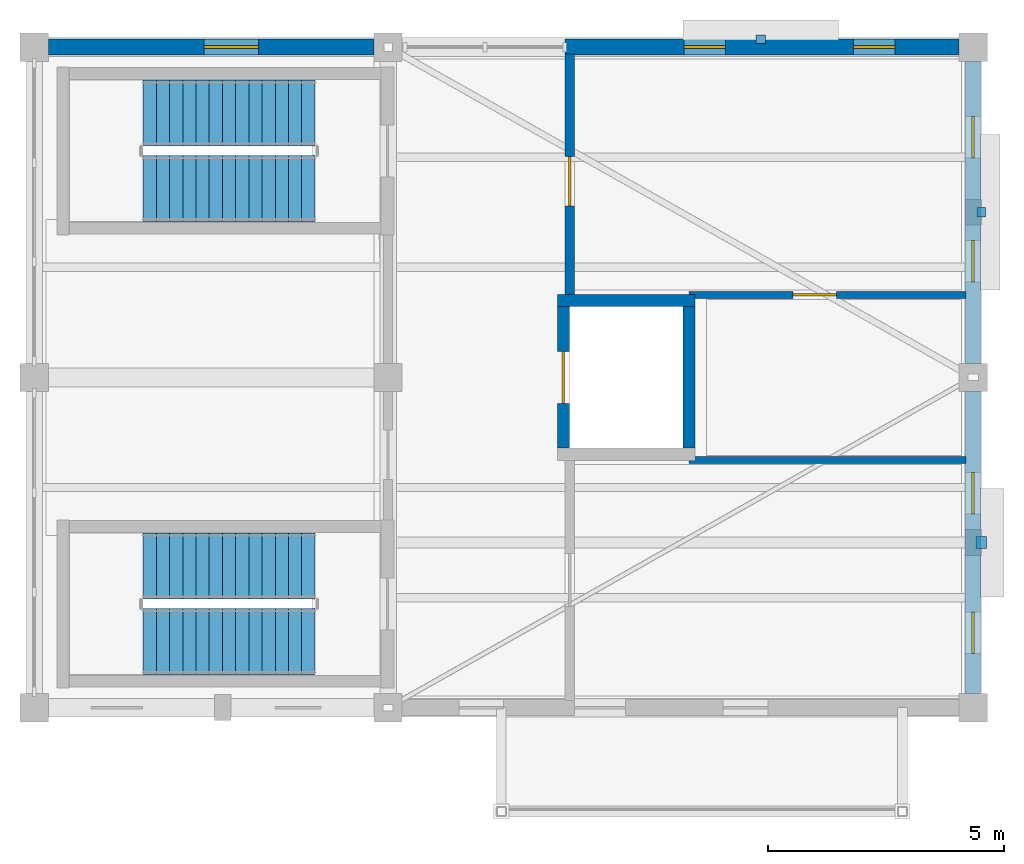
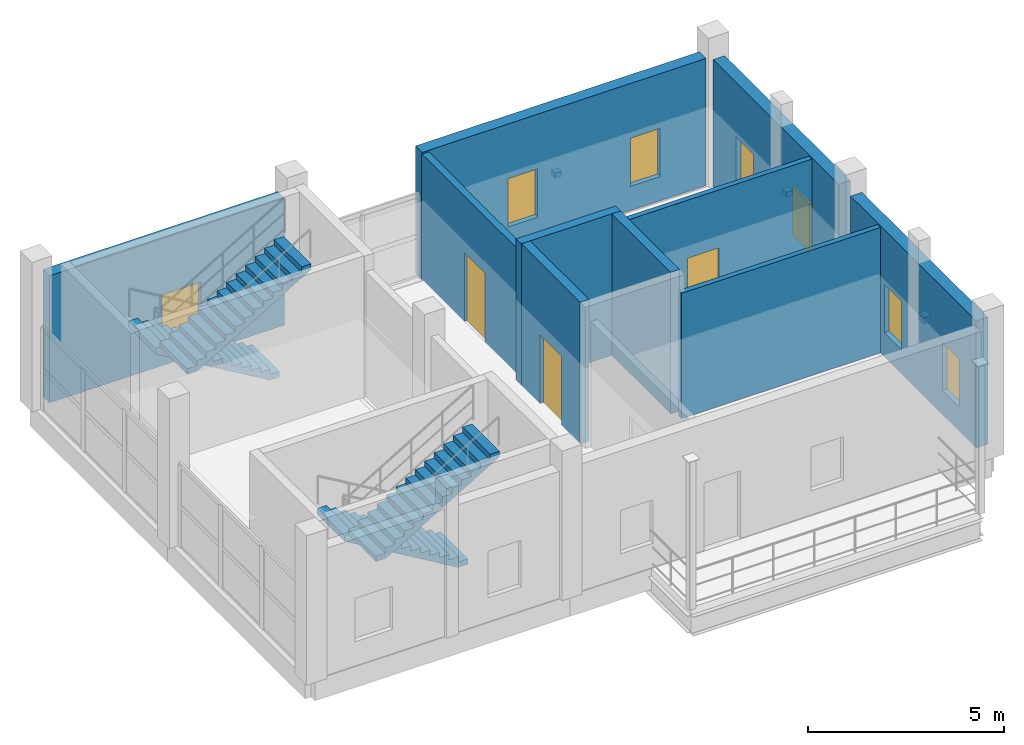
# One storey, part 3 of 4: 10 walls, 7 windows, 4 stair flights, 3 discrete accessories, 3 doors, 10 openings, 2 elements without a shape of their own.
"""IFC4 building model written with IfcOpenShell, lengths in metres."""

from ifc_helpers import new_model, si_unit, direction, frame, frame_2d, origin, origin_2d, place, context, subcontext, project, spatial, polyline, rectangle, outline, extrude, material, layer, layer_set, type_object, element, fill, aggregate, save


model = new_model("IFC4")

# Units and contexts
model_context = context("Model", 3, precision=1e-05, world=origin(), true_north=direction((0.0, 1.0)))
body_context = subcontext(model_context, "Body", "Model", "MODEL_VIEW")
ifc_project = project(units=[si_unit("LENGTHUNIT", "METRE"), si_unit("AREAUNIT", "SQUARE_METRE"), si_unit("VOLUMEUNIT", "CUBIC_METRE"), si_unit("PLANEANGLEUNIT", "RADIAN"), si_unit("MASSUNIT", "GRAM", prefix="KILO")], contexts=[model_context])

# Site, building, storey
site_placement = place(None, origin())
site = spatial("IfcSite", under=ifc_project, at=site_placement, CompositionType="ELEMENT")
building_placement = place(site_placement, origin())
building = spatial("IfcBuilding", under=site, at=building_placement, Name="Trellovar Central Fire Station", CompositionType="ELEMENT")
storey_placement = place(building_placement, frame((0.0, 0.0, 17.39990234375)))
storey = spatial("IfcBuildingStorey", under=building, at=storey_placement, Name="L05", CompositionType="ELEMENT", Elevation=17.39990234375)

# Wall, openings, windows
ifc_material_1 = material(Name="Textured desert sandstone masonry", Category="masonry")
ifc_layer_1 = layer(ifc_material_1, 0.340087890625)
ifc_layer_set_1 = layer_set([ifc_layer_1], Name="Textured desert sandstone masonry")
wall_type_1 = type_object("IfcWallType", Name="EW-3", PredefinedType="STANDARD", material=ifc_layer_set_1)
wall_1_placement = place(storey_placement, frame((160.699951171875, 73.0, 0.0), z_axis=(0.0, 0.0, 1.0), x_axis=(-1.0, 0.0, 0.0)))
wall_1 = element("IfcWall", 1, at=wall_1_placement, inside=storey, type_object=wall_type_1, Name="V2 L05 north hose shaft wall", PredefinedType="STANDARD", context=body_context, shape_type="SweptSolid", body=[
    extrude(rectangle(XDim=8.349853515625, YDim=0.340087890625, at=frame_2d((4.1748046875, 0.0))), origin(), (0.0, 0.0, 1.0), 3.9501953125),
])
opening_1_placement = place(wall_1_placement, frame((1.35009765625, 0.0, 0.75)))
opening_1 = element("IfcOpeningElement", 2, at=opening_1_placement, cuts=wall_1, Name="Opening W-07", PredefinedType="OPENING", context=body_context, shape_type="SweptSolid", body=[
    extrude(rectangle(XDim=0.8798828125, YDim=1.5, at=frame_2d((0.43994140625, 0.75))), frame((0.0, 0.179931640625, 0.0), z_axis=(0.0, -1.0, 0.0), x_axis=(1.0, 0.0, 0.0)), (0.0, 0.0, 1.0), 0.360107421875),
])
opening_2_placement = place(wall_1_placement, frame((4.949951171875, 0.0, 0.75)))
opening_2 = element("IfcOpeningElement", 3, at=opening_2_placement, cuts=wall_1, Name="Opening W-07", PredefinedType="OPENING", context=body_context, shape_type="SweptSolid", body=[
    extrude(rectangle(XDim=0.8798828125, YDim=1.5, at=frame_2d((0.43994140625, 0.75))), frame((0.0, 0.179931640625, 0.0), z_axis=(0.0, -1.0, 0.0), x_axis=(1.0, 0.0, 0.0)), (0.0, 0.0, 1.0), 0.360107421875),
])
ifc_material_2 = material(Name="Thermally broken bronze anodized aluminum", Category="aluminium")
window_type_1 = type_object("IfcWindowType", Name="WIN-07", PartitioningType="SINGLE_PANEL", PredefinedType="WINDOW", material=ifc_material_2)
window_1_placement = place(opening_1_placement, origin())
window_1 = element("IfcWindow", 4, at=window_1_placement, inside=storey, type_object=window_type_1, Name="V2 L05 hose drying ventilation lancet A", OverallHeight=1.5, OverallWidth=0.8798828125, PartitioningType="SINGLE_PANEL", PredefinedType="WINDOW", context=body_context, shape_type="SweptSolid", body=[
    extrude(rectangle(XDim=0.8798828125, YDim=1.5, at=frame_2d((0.43994140625, 0.75))), frame((0.0, 0.030029296875, 0.0), z_axis=(0.0, -1.0, 0.0), x_axis=(1.0, 0.0, 0.0)), (0.0, 0.0, 1.0), 0.06005859375),
])
fill(opening_1, window_1)
window_2_placement = place(opening_2_placement, origin())
window_2 = element("IfcWindow", 5, at=window_2_placement, inside=storey, type_object=window_type_1, Name="V2 L05 hose drying ventilation lancet B", OverallHeight=1.5, OverallWidth=0.8798828125, PartitioningType="SINGLE_PANEL", PredefinedType="WINDOW", context=body_context, shape_type="SweptSolid", body=[
    extrude(rectangle(XDim=0.8798828125, YDim=1.5, at=frame_2d((0.43994140625, 0.75))), frame((0.0, 0.030029296875, 0.0), z_axis=(0.0, -1.0, 0.0), x_axis=(1.0, 0.0, 0.0)), (0.0, 0.0, 1.0), 0.06005859375),
])
fill(opening_2, window_2)

# Wall, opening, window
wall_2_placement = place(storey_placement, frame((148.300048828125, 73.0, 0.0), z_axis=(0.0, 0.0, 1.0), x_axis=(-1.0, 0.0, 0.0)))
wall_2 = element("IfcWall", 6, at=wall_2_placement, inside=storey, type_object=wall_type_1, Name="V2 L05 north stair bay wall", PredefinedType="STANDARD", context=body_context, shape_type="SweptSolid", body=[
    extrude(rectangle(XDim=6.900146484375, YDim=0.340087890625, at=frame_2d((3.4501953125, 0.0))), origin(), (0.0, 0.0, 1.0), 3.9501953125),
])
opening_3_placement = place(wall_2_placement, frame((2.449951171875, 0.0, 0.75)))
opening_3 = element("IfcOpeningElement", 7, at=opening_3_placement, cuts=wall_2, Name="Opening W-01", PredefinedType="OPENING", context=body_context, shape_type="SweptSolid", body=[
    extrude(rectangle(XDim=1.14990234375, YDim=1.449951171875, at=frame_2d((0.574951171875, 0.72509765625))), frame((0.0, 0.179931640625, 0.0), z_axis=(0.0, -1.0, 0.0), x_axis=(1.0, 0.0, 0.0)), (0.0, 0.0, 1.0), 0.360107421875),
])
ifc_material_3 = material(Name="Thermally broken bronze anodized aluminum", Category="aluminium")
window_type_2 = type_object("IfcWindowType", Name="WIN-01", PartitioningType="SINGLE_PANEL", PredefinedType="WINDOW", material=ifc_material_3)
window_3_placement = place(opening_3_placement, origin())
window_3 = element("IfcWindow", 8, at=window_3_placement, inside=storey, type_object=window_type_2, Name="L05 window W-01", OverallHeight=1.449951171875, OverallWidth=1.14990234375, PartitioningType="SINGLE_PANEL", PredefinedType="WINDOW", context=body_context, shape_type="SweptSolid", body=[
    extrude(rectangle(XDim=1.14990234375, YDim=1.449951171875, at=frame_2d((0.574951171875, 0.72509765625))), frame((0.0, 0.030029296875, 0.0), z_axis=(0.0, -1.0, 0.0), x_axis=(1.0, 0.0, 0.0)), (0.0, 0.0, 1.0), 0.06005859375),
])
fill(opening_3, window_3)

# Wall, openings, windows
wall_3_placement = place(storey_placement, frame((161.0, 59.300048828125, 0.0), z_axis=(0.0, 0.0, 1.0), x_axis=(0.0, 1.0, 0.0)))
wall_3 = element("IfcWall", 9, at=wall_3_placement, inside=storey, type_object=wall_type_1, Name="V2 L05 east avenue wall", PredefinedType="STANDARD", context=body_context, shape_type="SweptSolid", body=[
    extrude(rectangle(XDim=6.39990234375, YDim=0.340087890625, at=frame_2d((3.199951171875, 0.0))), origin(), (0.0, 0.0, 1.0), 3.9501953125),
])
opening_4_placement = place(wall_3_placement, frame((0.85009765625, 0.0, 0.75)))
opening_4 = element("IfcOpeningElement", 10, at=opening_4_placement, cuts=wall_3, Name="Opening W-07", PredefinedType="OPENING", context=body_context, shape_type="SweptSolid", body=[
    extrude(rectangle(XDim=0.8798828125, YDim=1.5, at=frame_2d((0.43994140625, 0.75))), frame((0.0, 0.179931640625, 0.0), z_axis=(0.0, -1.0, 0.0), x_axis=(1.0, 0.0, 0.0)), (0.0, 0.0, 1.0), 0.360107421875),
])
opening_5_placement = place(wall_3_placement, frame((3.800048828125, 0.0, 0.75)))
opening_5 = element("IfcOpeningElement", 11, at=opening_5_placement, cuts=wall_3, Name="Opening W-07", PredefinedType="OPENING", context=body_context, shape_type="SweptSolid", body=[
    extrude(rectangle(XDim=0.8798828125, YDim=1.5, at=frame_2d((0.43994140625, 0.75))), frame((0.0, 0.179931640625, 0.0), z_axis=(0.0, -1.0, 0.0), x_axis=(1.0, 0.0, 0.0)), (0.0, 0.0, 1.0), 0.360107421875),
])
window_4_placement = place(opening_4_placement, origin())
window_4 = element("IfcWindow", 12, at=window_4_placement, inside=storey, type_object=window_type_1, Name="L05 window W-07", OverallHeight=1.5, OverallWidth=0.8798828125, PartitioningType="SINGLE_PANEL", PredefinedType="WINDOW", context=body_context, shape_type="SweptSolid", body=[
    extrude(rectangle(XDim=0.8798828125, YDim=1.5, at=frame_2d((0.43994140625, 0.75))), frame((0.0, 0.030029296875, 0.0), z_axis=(0.0, -1.0, 0.0), x_axis=(1.0, 0.0, 0.0)), (0.0, 0.0, 1.0), 0.06005859375),
])
fill(opening_4, window_4)
window_5_placement = place(opening_5_placement, origin())
window_5 = element("IfcWindow", 13, at=window_5_placement, inside=storey, type_object=window_type_1, Name="L05 window W-07", OverallHeight=1.5, OverallWidth=0.8798828125, PartitioningType="SINGLE_PANEL", PredefinedType="WINDOW", context=body_context, shape_type="SweptSolid", body=[
    extrude(rectangle(XDim=0.8798828125, YDim=1.5, at=frame_2d((0.43994140625, 0.75))), frame((0.0, 0.030029296875, 0.0), z_axis=(0.0, -1.0, 0.0), x_axis=(1.0, 0.0, 0.0)), (0.0, 0.0, 1.0), 0.06005859375),
])
fill(opening_5, window_5)

wall_4_placement = place(storey_placement, frame((161.0, 66.300048828125, 0.0), z_axis=(0.0, 0.0, 1.0), x_axis=(0.0, 1.0, 0.0)))
wall_4 = element("IfcWall", 14, at=wall_4_placement, inside=storey, type_object=wall_type_1, Name="V2 L05 east avenue wall", PredefinedType="STANDARD", context=body_context, shape_type="SweptSolid", body=[
    extrude(rectangle(XDim=6.39990234375, YDim=0.340087890625, at=frame_2d((3.199951171875, 0.0))), origin(), (0.0, 0.0, 1.0), 3.9501953125),
])
opening_6_placement = place(wall_4_placement, frame((1.719970703125, 0.0, 0.75)))
opening_6 = element("IfcOpeningElement", 15, at=opening_6_placement, cuts=wall_4, Name="Opening W-07", PredefinedType="OPENING", context=body_context, shape_type="SweptSolid", body=[
    extrude(rectangle(XDim=0.8798828125, YDim=1.5, at=frame_2d((0.43994140625, 0.75))), frame((0.0, 0.179931640625, 0.0), z_axis=(0.0, -1.0, 0.0), x_axis=(1.0, 0.0, 0.0)), (0.0, 0.0, 1.0), 0.360107421875),
])
opening_7_placement = place(wall_4_placement, frame((4.35009765625, 0.0, 0.75)))
opening_7 = element("IfcOpeningElement", 16, at=opening_7_placement, cuts=wall_4, Name="Opening W-07", PredefinedType="OPENING", context=body_context, shape_type="SweptSolid", body=[
    extrude(rectangle(XDim=0.8798828125, YDim=1.5, at=frame_2d((0.43994140625, 0.75))), frame((0.0, 0.179931640625, 0.0), z_axis=(0.0, -1.0, 0.0), x_axis=(1.0, 0.0, 0.0)), (0.0, 0.0, 1.0), 0.360107421875),
])
window_6_placement = place(opening_6_placement, origin())
window_6 = element("IfcWindow", 17, at=window_6_placement, inside=storey, type_object=window_type_1, Name="L05 window W-07", OverallHeight=1.5, OverallWidth=0.8798828125, PartitioningType="SINGLE_PANEL", PredefinedType="WINDOW", context=body_context, shape_type="SweptSolid", body=[
    extrude(rectangle(XDim=0.8798828125, YDim=1.5, at=frame_2d((0.43994140625, 0.75))), frame((0.0, 0.030029296875, 0.0), z_axis=(0.0, -1.0, 0.0), x_axis=(1.0, 0.0, 0.0)), (0.0, 0.0, 1.0), 0.06005859375),
])
fill(opening_6, window_6)
window_7_placement = place(opening_7_placement, origin())
window_7 = element("IfcWindow", 18, at=window_7_placement, inside=storey, type_object=window_type_1, Name="L05 window W-07", OverallHeight=1.5, OverallWidth=0.8798828125, PartitioningType="SINGLE_PANEL", PredefinedType="WINDOW", context=body_context, shape_type="SweptSolid", body=[
    extrude(rectangle(XDim=0.8798828125, YDim=1.5, at=frame_2d((0.43994140625, 0.75))), frame((0.0, 0.030029296875, 0.0), z_axis=(0.0, -1.0, 0.0), x_axis=(1.0, 0.0, 0.0)), (0.0, 0.0, 1.0), 0.06005859375),
])
fill(opening_7, window_7)

# Wall, opening, door
ifc_material_4 = material(Name="Acoustic concrete masonry unit", Category="masonry")
ifc_layer_2 = layer(ifc_material_4, 0.199951171875)
ifc_layer_set_2 = layer_set([ifc_layer_2], Name="Acoustic concrete masonry unit")
wall_type_2 = type_object("IfcWallType", Name="PT-1", PredefinedType="PARTITIONING", material=ifc_layer_set_2)
wall_5_placement = place(storey_placement, frame((152.449951171875, 67.6298828125, 0.0), z_axis=(0.0, 0.0, 1.0), x_axis=(0.0, 1.0, 0.0)))
wall_5 = element("IfcWall", 19, at=wall_5_placement, inside=storey, type_object=wall_type_2, Name="V2 L05 north hose gallery wall", PredefinedType="PARTITIONING", context=body_context, shape_type="SweptSolid", body=[
    extrude(rectangle(XDim=5.22021484375, YDim=0.199951171875, at=frame_2d((2.610107421875, 0.0))), origin(), (0.0, 0.0, 1.0), 3.900146484375),
])
opening_8_placement = place(wall_5_placement, frame((2.0, 0.0, 0.0)))
opening_8 = element("IfcOpeningElement", 20, at=opening_8_placement, cuts=wall_5, Name="Opening ID-5", PredefinedType="OPENING", context=body_context, shape_type="SweptSolid", body=[
    extrude(rectangle(XDim=1.050048828125, YDim=2.139892578125, at=frame_2d((0.52490234375, 1.06982421875))), frame((0.0, 0.10986328125, 0.0), z_axis=(0.0, -1.0, 0.0), x_axis=(1.0, 0.0, 0.0)), (0.0, 0.0, 1.0), 0.219970703125),
])
ifc_material_5 = material(Name="Hollow galvanized steel with acoustic core", Category="steel")
door_type_1 = type_object("IfcDoorType", Name="DR-INT5", OperationType="SINGLE_SWING_LEFT", PredefinedType="DOOR", material=ifc_material_5)
door_1_placement = place(opening_8_placement, origin())
door_1 = element("IfcDoor", 21, at=door_1_placement, inside=storey, type_object=door_type_1, Name="V2 L05 north hose gallery door", OperationType="SINGLE_SWING_LEFT", OverallHeight=2.139892578125, OverallWidth=1.050048828125, PredefinedType="DOOR", context=body_context, shape_type="SweptSolid", body=[
    extrude(rectangle(XDim=1.050048828125, YDim=2.139892578125, at=frame_2d((0.52490234375, 1.06982421875))), frame((0.0, 0.02490234375, 0.0), z_axis=(0.0, -1.0, 0.0), x_axis=(1.0, 0.0, 0.0)), (0.0, 0.0, 1.0), 0.050048828125),
])
fill(opening_8, door_1)

# Wall
ifc_material_6 = material(Name="Fire-rated acoustic gypsum stud partition", Category="gypsum")
ifc_layer_3 = layer(ifc_material_6, 0.14990234375)
ifc_layer_set_3 = layer_set([ifc_layer_3], Name="Fire-rated acoustic gypsum stud partition")
wall_type_3 = type_object("IfcWallType", Name="PT-6", PredefinedType="PARTITIONING", material=ifc_layer_set_3)
wall_6_placement = place(storey_placement, frame((154.97998046875, 64.25, 0.0), z_axis=(0.0, 0.0, 1.0), x_axis=(1.0, 0.0, 0.0)))
element("IfcWall", 22, at=wall_6_placement, inside=storey, type_object=wall_type_3, Name="V2 L05 restroom south wall", PredefinedType="PARTITIONING", context=body_context, shape_type="SweptSolid", body=[
    extrude(rectangle(XDim=5.8701171875, YDim=0.14990234375, at=frame_2d((2.93505859375, 0.0))), origin(), (0.0, 0.0, 1.0), 3.900146484375),
])

# Wall, opening, door
wall_7_placement = place(storey_placement, frame((154.97998046875, 67.75, 0.0), z_axis=(0.0, 0.0, 1.0), x_axis=(1.0, 0.0, 0.0)))
wall_7 = element("IfcWall", 23, at=wall_7_placement, inside=storey, type_object=wall_type_3, Name="V2 L05 restroom north wall", PredefinedType="PARTITIONING", context=body_context, shape_type="SweptSolid", body=[
    extrude(rectangle(XDim=5.8701171875, YDim=0.14990234375, at=frame_2d((2.93505859375, 0.0))), origin(), (0.0, 0.0, 1.0), 3.900146484375),
])
opening_9_placement = place(wall_7_placement, frame((2.199951171875, 0.0, 0.0)))
opening_9 = element("IfcOpeningElement", 24, at=opening_9_placement, cuts=wall_7, Name="Opening ID-6", PredefinedType="OPENING", context=body_context, shape_type="SweptSolid", body=[
    extrude(rectangle(XDim=0.919921875, YDim=2.10009765625, at=frame_2d((0.4599609375, 1.050048828125))), frame((0.0, 0.0849609375, 0.0), z_axis=(0.0, -1.0, 0.0), x_axis=(1.0, 0.0, 0.0)), (0.0, 0.0, 1.0), 0.169921875),
])
ifc_material_7 = material(Name="Solid core acoustic white oak veneer", Category="wood")
door_type_2 = type_object("IfcDoorType", Name="DR-INT6", OperationType="SINGLE_SWING_LEFT", PredefinedType="DOOR", material=ifc_material_7)
door_2_placement = place(opening_9_placement, origin())
door_2 = element("IfcDoor", 25, at=door_2_placement, inside=storey, type_object=door_type_2, Name="V2 L05 restroom door", OperationType="SINGLE_SWING_RIGHT", OverallHeight=2.10009765625, OverallWidth=0.919921875, PredefinedType="DOOR", context=body_context, shape_type="SweptSolid", body=[
    extrude(rectangle(XDim=0.919921875, YDim=2.10009765625, at=frame_2d((0.4599609375, 1.050048828125))), frame((0.0, 0.02490234375, 0.0), z_axis=(0.0, -1.0, 0.0), x_axis=(1.0, 0.0, 0.0)), (0.0, 0.0, 1.0), 0.050048828125),
])
fill(opening_9, door_2)

# Wall
ifc_material_8 = material(Name="Concrete C40/50", Category="concrete")
ifc_layer_4 = layer(ifc_material_8, 0.260009765625)
ifc_layer_set_4 = layer_set([ifc_layer_4], Name="Concrete C40/50")
wall_type_4 = type_object("IfcWallType", Name="SW-4", PredefinedType="SHEAR", material=ifc_layer_set_4)
wall_8_placement = place(storey_placement, frame((155.110107421875, 67.6298828125, 0.0), z_axis=(0.0, 0.0, 1.0), x_axis=(-1.0, 0.0, 0.0)))
element("IfcWall", 26, at=wall_8_placement, inside=storey, type_object=wall_type_4, Name="Lift EL-04 L05 N wall", PredefinedType="SHEAR", context=body_context, shape_type="SweptSolid", body=[
    extrude(rectangle(XDim=2.920166015625, YDim=0.260009765625, at=frame_2d((1.4599609375, 0.0))), origin(), (0.0, 0.0, 1.0), 4.400146484375),
])

# Wall, opening, door
wall_9_placement = place(storey_placement, frame((152.320068359375, 67.5, 0.0), z_axis=(0.0, 0.0, 1.0), x_axis=(0.0, -1.0, 0.0)))
wall_9 = element("IfcWall", 27, at=wall_9_placement, inside=storey, type_object=wall_type_4, Name="Lift EL-04 L05 W wall", PredefinedType="SHEAR", context=body_context, shape_type="SweptSolid", body=[
    extrude(rectangle(XDim=3.0, YDim=0.260009765625, at=frame_2d((1.5, 0.0))), origin(), (0.0, 0.0, 1.0), 4.400146484375),
])
opening_10_placement = place(wall_9_placement, frame((0.949951171875, 0.0, 0.0)))
opening_10 = element("IfcOpeningElement", 28, at=opening_10_placement, cuts=wall_9, Name="Opening LD-1", PredefinedType="OPENING", context=body_context, shape_type="SweptSolid", body=[
    extrude(rectangle(XDim=1.10009765625, YDim=2.14990234375, at=frame_2d((0.550048828125, 1.074951171875))), frame((0.0, 0.139892578125, 0.0), z_axis=(0.0, -1.0, 0.0), x_axis=(1.0, 0.0, 0.0)), (0.0, 0.0, 1.0), 0.280029296875),
])
ifc_material_9 = material(Name="Brushed stainless steel", Category="steel")
door_type_3 = type_object("IfcDoorType", Name="DR-LFT1", OperationType="SLIDING_TO_LEFT", PredefinedType="DOOR", material=ifc_material_9)
door_3_placement = place(opening_10_placement, origin())
door_3 = element("IfcDoor", 29, at=door_3_placement, inside=storey, type_object=door_type_3, Name="Elevator EL-04 L05 sliding landing door", OperationType="SLIDING_TO_LEFT", OverallHeight=2.14990234375, OverallWidth=1.10009765625, PredefinedType="DOOR", context=body_context, shape_type="SweptSolid", body=[
    extrude(rectangle(XDim=1.10009765625, YDim=2.14990234375, at=frame_2d((0.550048828125, 1.074951171875))), frame((0.0, 0.02490234375, 0.0), z_axis=(0.0, -1.0, 0.0), x_axis=(1.0, 0.0, 0.0)), (0.0, 0.0, 1.0), 0.050048828125),
])
fill(opening_10, door_3)

# Wall
wall_10_placement = place(storey_placement, frame((154.97998046875, 64.5, 0.0), z_axis=(0.0, 0.0, 1.0), x_axis=(0.0, 1.0, 0.0)))
element("IfcWall", 30, at=wall_10_placement, inside=storey, type_object=wall_type_4, Name="Lift EL-04 L05 E wall", PredefinedType="SHEAR", context=body_context, shape_type="SweptSolid", body=[
    extrude(rectangle(XDim=3.0, YDim=0.260009765625, at=frame_2d((1.5, 0.0))), origin(), (0.0, 0.0, 1.0), 4.400146484375),
])

# Stair, stair flights
ifc_material_10 = material(Name="Concrete C40/50", Category="concrete")
stair_type = type_object("IfcStairType", Name="ST-R1661", PredefinedType="HALF_TURN_STAIR", material=ifc_material_10)
stair_1_placement = place(storey_placement, origin())
stair_1 = element("IfcStair", 31, at=stair_1_placement, inside=storey, type_object=stair_type, Name="L05 Protected exit stair ST-05", PredefinedType="HALF_TURN_STAIR")
ifc_material_11 = material(Name="Concrete C40/50", Category="concrete")
stair_flight_type = type_object("IfcStairFlightType", Name="STF-R1661", PredefinedType="STRAIGHT", material=ifc_material_11)
stair_flight_1_placement = place(storey_placement, frame((147.050048828125, 62.0, 0.0), z_axis=(0.0, 0.0, 1.0), x_axis=(-1.0, 0.0, 0.0)))
stair_flight_1 = element("IfcStairFlight", 32, at=stair_flight_1_placement, type_object=stair_flight_type, Name="ST-05 flight 1", NumberOfRisers=14, NumberOfTreads=13, PredefinedType="STRAIGHT", RiserHeight=0.166071429, TreadLength=0.28, context=body_context, shape_type="SweptSolid", body=[
    extrude(outline(polyline([(0.0, 0.0), (0.0, 0.166015625), (0.280029296875, 0.166015625), (0.280029296875, 0.33203125), (0.56005859375, 0.33203125), (0.56005859375, 0.498291015625), (0.840087890625, 0.498291015625), (0.840087890625, 0.664306640625), (1.1201171875, 0.664306640625), (1.1201171875, 0.830322265625), (1.39990234375, 0.830322265625), (1.39990234375, 0.996337890625), (1.679931640625, 0.996337890625), (1.679931640625, 1.16259765625), (1.9599609375, 1.16259765625), (1.9599609375, 1.32861328125), (2.239990234375, 1.32861328125), (2.239990234375, 1.49462890625), (2.52001953125, 1.49462890625), (2.52001953125, 1.66064453125), (2.800048828125, 1.66064453125), (2.800048828125, 1.826904296875), (3.080078125, 1.826904296875), (3.080078125, 1.992919921875), (3.360107421875, 1.992919921875), (3.360107421875, 2.158935546875), (3.639892578125, 2.158935546875), (3.639892578125, 2.324951171875), (3.639892578125, 1.984619140625), (0.2939453125, 0.0), (0.0, 0.0)])), frame((0.0, 0.699951171875, 0.0), z_axis=(0.0, -1.0, 0.0), x_axis=(1.0, 0.0, 0.0)), (0.0, 0.0, 1.0), 1.39990234375),
])
stair_flight_2_placement = place(storey_placement, frame((143.409912109375, 60.39990234375, 2.3251953125), z_axis=(0.0, 0.0, 1.0), x_axis=(1.0, 0.0, 0.0)))
stair_flight_2 = element("IfcStairFlight", 33, at=stair_flight_2_placement, type_object=stair_flight_type, Name="ST-05 flight 2", NumberOfRisers=14, NumberOfTreads=13, PredefinedType="STRAIGHT", RiserHeight=0.166071429, TreadLength=0.28, context=body_context, shape_type="SweptSolid", body=[
    extrude(outline(polyline([(0.0, 0.0), (0.0, 0.166015625), (0.280029296875, 0.166015625), (0.280029296875, 0.33203125), (0.56005859375, 0.33203125), (0.56005859375, 0.498291015625), (0.840087890625, 0.498291015625), (0.840087890625, 0.664306640625), (1.1201171875, 0.664306640625), (1.1201171875, 0.830322265625), (1.39990234375, 0.830322265625), (1.39990234375, 0.996337890625), (1.679931640625, 0.996337890625), (1.679931640625, 1.16259765625), (1.9599609375, 1.16259765625), (1.9599609375, 1.32861328125), (2.239990234375, 1.32861328125), (2.239990234375, 1.49462890625), (2.52001953125, 1.49462890625), (2.52001953125, 1.66064453125), (2.800048828125, 1.66064453125), (2.800048828125, 1.826904296875), (3.080078125, 1.826904296875), (3.080078125, 1.992919921875), (3.360107421875, 1.992919921875), (3.360107421875, 2.158935546875), (3.639892578125, 2.158935546875), (3.639892578125, 2.324951171875), (3.639892578125, 1.984619140625), (0.2939453125, 0.0), (0.0, 0.0)])), frame((0.0, 0.699951171875, 0.0), z_axis=(0.0, -1.0, 0.0), x_axis=(1.0, 0.0, 0.0)), (0.0, 0.0, 1.0), 1.39990234375),
])
aggregate(stair_1, [stair_flight_1, stair_flight_2])

stair_2_placement = place(storey_placement, origin())
stair_2 = element("IfcStair", 34, at=stair_2_placement, inside=storey, type_object=stair_type, Name="L05 Protected exit stair ST-06", PredefinedType="HALF_TURN_STAIR")
stair_flight_3_placement = place(storey_placement, frame((147.050048828125, 71.60009765625, 0.0), z_axis=(0.0, 0.0, 1.0), x_axis=(-1.0, 0.0, 0.0)))
stair_flight_3 = element("IfcStairFlight", 35, at=stair_flight_3_placement, type_object=stair_flight_type, Name="ST-06 flight 1", NumberOfRisers=14, NumberOfTreads=13, PredefinedType="STRAIGHT", RiserHeight=0.166071429, TreadLength=0.28, context=body_context, shape_type="SweptSolid", body=[
    extrude(outline(polyline([(0.0, 0.0), (0.0, 0.166015625), (0.280029296875, 0.166015625), (0.280029296875, 0.33203125), (0.56005859375, 0.33203125), (0.56005859375, 0.498291015625), (0.840087890625, 0.498291015625), (0.840087890625, 0.664306640625), (1.1201171875, 0.664306640625), (1.1201171875, 0.830322265625), (1.39990234375, 0.830322265625), (1.39990234375, 0.996337890625), (1.679931640625, 0.996337890625), (1.679931640625, 1.16259765625), (1.9599609375, 1.16259765625), (1.9599609375, 1.32861328125), (2.239990234375, 1.32861328125), (2.239990234375, 1.49462890625), (2.52001953125, 1.49462890625), (2.52001953125, 1.66064453125), (2.800048828125, 1.66064453125), (2.800048828125, 1.826904296875), (3.080078125, 1.826904296875), (3.080078125, 1.992919921875), (3.360107421875, 1.992919921875), (3.360107421875, 2.158935546875), (3.639892578125, 2.158935546875), (3.639892578125, 2.324951171875), (3.639892578125, 1.984619140625), (0.2939453125, 0.0), (0.0, 0.0)])), frame((0.0, 0.699951171875, 0.0), z_axis=(0.0, -1.0, 0.0), x_axis=(1.0, 0.0, 0.0)), (0.0, 0.0, 1.0), 1.39990234375),
])
stair_flight_4_placement = place(storey_placement, frame((143.409912109375, 70.0, 2.3251953125), z_axis=(0.0, 0.0, 1.0), x_axis=(1.0, 0.0, 0.0)))
stair_flight_4 = element("IfcStairFlight", 36, at=stair_flight_4_placement, type_object=stair_flight_type, Name="ST-06 flight 2", NumberOfRisers=14, NumberOfTreads=13, PredefinedType="STRAIGHT", RiserHeight=0.166071429, TreadLength=0.28, context=body_context, shape_type="SweptSolid", body=[
    extrude(outline(polyline([(0.0, 0.0), (0.0, 0.166015625), (0.280029296875, 0.166015625), (0.280029296875, 0.33203125), (0.56005859375, 0.33203125), (0.56005859375, 0.498291015625), (0.840087890625, 0.498291015625), (0.840087890625, 0.664306640625), (1.1201171875, 0.664306640625), (1.1201171875, 0.830322265625), (1.39990234375, 0.830322265625), (1.39990234375, 0.996337890625), (1.679931640625, 0.996337890625), (1.679931640625, 1.16259765625), (1.9599609375, 1.16259765625), (1.9599609375, 1.32861328125), (2.239990234375, 1.32861328125), (2.239990234375, 1.49462890625), (2.52001953125, 1.49462890625), (2.52001953125, 1.66064453125), (2.800048828125, 1.66064453125), (2.800048828125, 1.826904296875), (3.080078125, 1.826904296875), (3.080078125, 1.992919921875), (3.360107421875, 1.992919921875), (3.360107421875, 2.158935546875), (3.639892578125, 2.158935546875), (3.639892578125, 2.324951171875), (3.639892578125, 1.984619140625), (0.2939453125, 0.0), (0.0, 0.0)])), frame((0.0, 0.699951171875, 0.0), z_axis=(0.0, -1.0, 0.0), x_axis=(1.0, 0.0, 0.0)), (0.0, 0.0, 1.0), 1.39990234375),
])
aggregate(stair_2, [stair_flight_3, stair_flight_4])

# Discrete accessories
ifc_material_12 = material(Name="Patina bronze wrought metalwork", Category="metal")
discrete_accessory_type_1 = type_object("IfcDiscreteAccessoryType", Name="ACC-BRK1", PredefinedType="BRACKET", material=ifc_material_12)
discrete_accessory_placement = place(storey_placement, frame((161.169921875, 62.5, 1.89990234375), z_axis=(0.0, 0.0, 1.0), x_axis=(0.0, 1.0, 0.0)))
element("IfcDiscreteAccessory", 37, at=discrete_accessory_placement, inside=storey, type_object=discrete_accessory_type_1, Name="L05 bronze shade mounting bracket 118", PredefinedType="BRACKET", context=body_context, shape_type="SweptSolid", body=[
    extrude(rectangle(XDim=0.260009765625, YDim=0.219970703125, at=origin_2d()), origin(), (0.0, 0.0, 1.0), 0.199951171875),
])
ifc_material_13 = material(Name="Patina bronze wrought metalwork", Category="metal")
discrete_accessory_type_2 = type_object("IfcDiscreteAccessoryType", Name="ACC-BRK2", PredefinedType="BRACKET", material=ifc_material_13)
for number, where, z_axis, x_axis, name in (
    (38, (156.5, 73.169921875, 1.5703125), (0.0, 0.0, 1.0), (1.0, 0.0, 0.0), "L05 bronze shade mounting bracket 117"),
    (39, (161.169921875, 69.5, 1.5703125), (0.0, 0.0, 1.0), (0.0, 1.0, 0.0), "L05 bronze shade mounting bracket 119"),
):
    element("IfcDiscreteAccessory", number, at=place(storey_placement, frame(where, z_axis=z_axis, x_axis=x_axis)), inside=storey, type_object=discrete_accessory_type_2, Name=name, PredefinedType="BRACKET", context=body_context, shape_type="SweptSolid", body=[
        extrude(rectangle(XDim=0.199951171875, YDim=0.179931640625, at=origin_2d()), origin(), (0.0, 0.0, 1.0), 0.159912109375),
    ])

save(model, "model.ifc")
